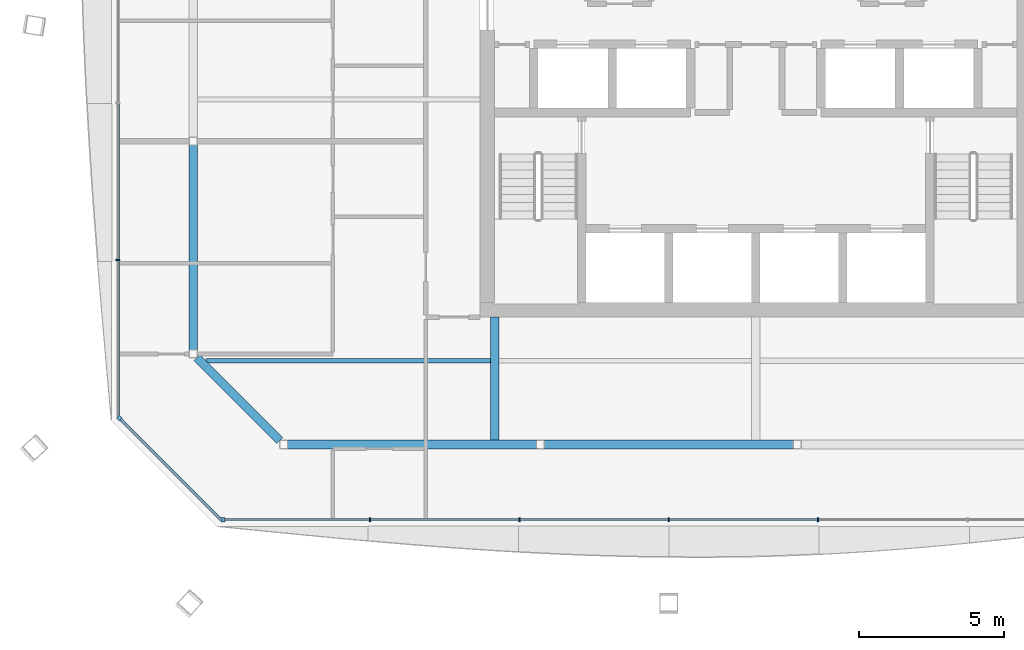
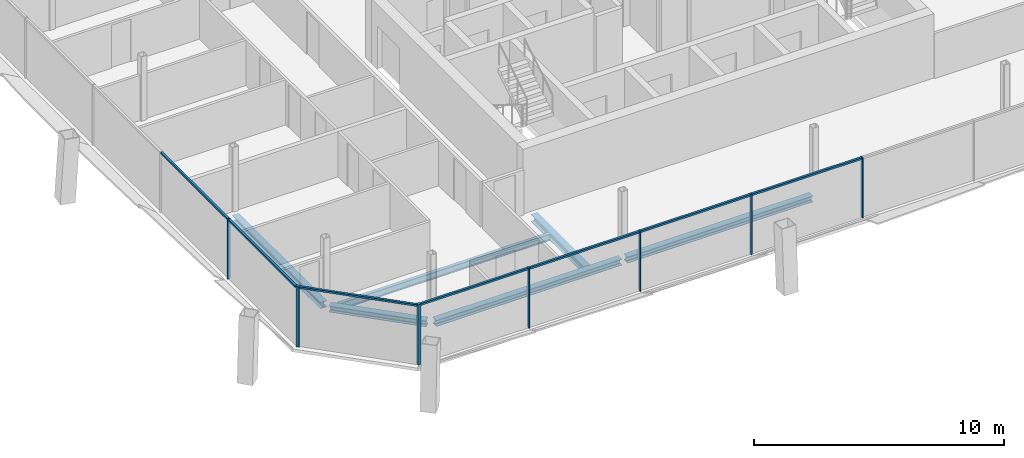
# One storey, part 4 of 18: 14 members, 6 beams, 3 elements without a shape of their own.
"""IFC4 building model written with IfcOpenShell, lengths in metres."""

from ifc_helpers import new_model, si_unit, direction, frame, origin, origin_2d, place, context, subcontext, project, spatial, rectangle, i_section, extrude, material, material_profile, profile_set, type_object, element, aggregate, save


model = new_model("IFC4")

# Units and contexts
model_context = context("Model", 3, precision=1e-05, world=origin(), true_north=direction((0.0, 1.0)))
body_context = subcontext(model_context, "Body", "Model", "MODEL_VIEW")
ifc_project = project(units=[si_unit("LENGTHUNIT", "METRE"), si_unit("AREAUNIT", "SQUARE_METRE"), si_unit("VOLUMEUNIT", "CUBIC_METRE"), si_unit("PLANEANGLEUNIT", "RADIAN"), si_unit("MASSUNIT", "GRAM", prefix="KILO")], contexts=[model_context])

# Site, building, storey
site_placement = place(None, origin())
site = spatial("IfcSite", under=ifc_project, at=site_placement, CompositionType="ELEMENT")
building_placement = place(site_placement, origin())
building = spatial("IfcBuilding", under=site, at=building_placement, Name="Tskaro Facet Tower", CompositionType="ELEMENT")
storey_placement = place(building_placement, frame((0.0, 0.0, 220.35009765625)))
storey = spatial("IfcBuildingStorey", under=building, at=storey_placement, Name="L56", CompositionType="ELEMENT", Elevation=220.35009765625)

# Curtain wall, member
ifc_material_1 = material(Name="Bronze anodised aluminium 6063-T6", Category="aluminium")
curtain_wall_type = type_object("IfcCurtainWallType", Name="Bronze residence curtain wall (FW3)", PredefinedType="NOTDEFINED", material=ifc_material_1)
curtain_wall_1_placement = place(storey_placement, origin())
curtain_wall_1 = element("IfcCurtainWall", 1, at=curtain_wall_1_placement, inside=storey, type_object=curtain_wall_type, Name="FW3 south facet L56", PredefinedType="NOTDEFINED")
ifc_material_profile_1 = material_profile(ifc_material_1, rectangle(XDim=0.139892578125, YDim=0.139892578125, at=origin_2d()), Name="Corner post 140x140")
ifc_profile_set_1 = profile_set([ifc_material_profile_1], Name="Bronze anodised aluminium 6063-T6")
member_type_1 = type_object("IfcMemberType", Name="FW3 bronze corner post 140x140", PredefinedType="MULLION", material=ifc_profile_set_1)
member_1_placement = place(storey_placement, frame((-18.364990234375, -18.985107421875, 0.0), z_axis=(0.0, 0.0, 1.0), x_axis=(1.0, 0.0, 0.0)))
member_1 = element("IfcMember", 2, at=member_1_placement, type_object=member_type_1, Name="FW3 south corner post", PredefinedType="MULLION", context=body_context, shape_type="SweptSolid", body=[
    extrude(rectangle(XDim=0.139892578125, YDim=0.139892578125, at=origin_2d()), origin(), (0.0, 0.0, 1.0), 2.949951171875),
])

curtain_wall_2_placement = place(storey_placement, origin())
curtain_wall_2 = element("IfcCurtainWall", 3, at=curtain_wall_2_placement, inside=storey, type_object=curtain_wall_type, Name="FW3 south-west facet L56", PredefinedType="NOTDEFINED")
member_2_placement = place(storey_placement, frame((-21.935546875, -15.484619140625, 0.0), z_axis=(0.0, 0.0, 1.0), x_axis=(0.707106781187, -0.707106781187, 0.0)))
member_2 = element("IfcMember", 4, at=member_2_placement, type_object=member_type_1, Name="FW3 south-west corner post", PredefinedType="MULLION", context=body_context, shape_type="SweptSolid", body=[
    extrude(rectangle(XDim=0.139892578125, YDim=0.139892578125, at=origin_2d()), origin(), (0.0, 0.0, 1.0), 2.949951171875),
])

# Member
ifc_material_profile_2 = material_profile(ifc_material_1, rectangle(XDim=0.050048828125, YDim=0.139892578125, at=origin_2d()), Name="Mullion 50x140")
ifc_profile_set_2 = profile_set([ifc_material_profile_2], Name="Bronze anodised aluminium 6063-T6")
member_type_2 = type_object("IfcMemberType", Name="FW3 bronze mullion 50x140", PredefinedType="MULLION", material=ifc_profile_set_2)
member_3_placement = place(storey_placement, frame((-13.2900390625, -18.985107421875, 0.0), z_axis=(0.0, 0.0, 1.0), x_axis=(1.0, 0.0, 0.0)))
member_3 = element("IfcMember", 5, at=member_3_placement, type_object=member_type_2, Name="FW3 south mullion 1", PredefinedType="MULLION", context=body_context, shape_type="SweptSolid", body=[
    extrude(rectangle(XDim=0.050048828125, YDim=0.139892578125, at=origin_2d()), origin(), (0.0, 0.0, 1.0), 2.949951171875),
])

member_4_placement = place(storey_placement, frame((-8.14501953125, -18.985107421875, 0.0), z_axis=(0.0, 0.0, 1.0), x_axis=(1.0, 0.0, 0.0)))
member_4 = element("IfcMember", 6, at=member_4_placement, type_object=member_type_2, Name="FW3 south mullion 2", PredefinedType="MULLION", context=body_context, shape_type="SweptSolid", body=[
    extrude(rectangle(XDim=0.050048828125, YDim=0.139892578125, at=origin_2d()), origin(), (0.0, 0.0, 1.0), 2.949951171875),
])

member_5_placement = place(storey_placement, frame((-3.0, -18.985107421875, 0.0), z_axis=(0.0, 0.0, 1.0), x_axis=(1.0, 0.0, 0.0)))
member_5 = element("IfcMember", 7, at=member_5_placement, type_object=member_type_2, Name="FW3 south mullion 3", PredefinedType="MULLION", context=body_context, shape_type="SweptSolid", body=[
    extrude(rectangle(XDim=0.050048828125, YDim=0.139892578125, at=origin_2d()), origin(), (0.0, 0.0, 1.0), 2.949951171875),
])

member_6_placement = place(storey_placement, frame((2.14501953125, -18.985107421875, 0.0), z_axis=(0.0, 0.0, 1.0), x_axis=(1.0, 0.0, 0.0)))
member_6 = element("IfcMember", 8, at=member_6_placement, type_object=member_type_2, Name="FW3 south mullion 4", PredefinedType="MULLION", context=body_context, shape_type="SweptSolid", body=[
    extrude(rectangle(XDim=0.050048828125, YDim=0.139892578125, at=origin_2d()), origin(), (0.0, 0.0, 1.0), 2.949951171875),
])

# Curtain wall, member
curtain_wall_3_placement = place(storey_placement, origin())
curtain_wall_3 = element("IfcCurtainWall", 9, at=curtain_wall_3_placement, inside=storey, type_object=curtain_wall_type, Name="FW3 west facet L56", PredefinedType="NOTDEFINED")
member_7_placement = place(storey_placement, frame((-21.985107421875, -10.026123046875, 0.0), z_axis=(0.0, 0.0, 1.0), x_axis=(0.0, -1.0, 0.0)))
member_7 = element("IfcMember", 10, at=member_7_placement, type_object=member_type_2, Name="FW3 west mullion 4", PredefinedType="MULLION", context=body_context, shape_type="SweptSolid", body=[
    extrude(rectangle(XDim=0.050048828125, YDim=0.139892578125, at=origin_2d()), origin(), (0.0, 0.0, 1.0), 2.949951171875),
])

# Member
ifc_material_profile_3 = material_profile(ifc_material_1, rectangle(XDim=0.10009765625, YDim=0.090087890625, at=origin_2d()), Name="Transom 100x90")
ifc_profile_set_3 = profile_set([ifc_material_profile_3], Name="Bronze anodised aluminium 6063-T6")
member_type_3 = type_object("IfcMemberType", Name="FW3 bronze transom 100x90", PredefinedType="USERDEFINED", material=ifc_profile_set_3)
member_8_placement = place(storey_placement, frame((-18.294921875, -18.985107421875, 2.90478515625), z_axis=(1.0, 0.0, 0.0), x_axis=(0.0, 1.0, 0.0)))
member_8 = element("IfcMember", 11, at=member_8_placement, type_object=member_type_3, Name="FW3 south transom 1.1", ObjectType="TRANSOM", PredefinedType="USERDEFINED", context=body_context, shape_type="SweptSolid", body=[
    extrude(rectangle(XDim=0.10009765625, YDim=0.090087890625, at=origin_2d()), origin(), (0.0, 0.0, 1.0), 4.97998046875),
])

member_9_placement = place(storey_placement, frame((-13.264892578125, -18.985107421875, 2.90478515625), z_axis=(1.0, 0.0, 0.0), x_axis=(0.0, 1.0, 0.0)))
member_9 = element("IfcMember", 12, at=member_9_placement, type_object=member_type_3, Name="FW3 south transom 2.1", ObjectType="TRANSOM", PredefinedType="USERDEFINED", context=body_context, shape_type="SweptSolid", body=[
    extrude(rectangle(XDim=0.10009765625, YDim=0.090087890625, at=origin_2d()), origin(), (0.0, 0.0, 1.0), 5.094970703125),
])

member_10_placement = place(storey_placement, frame((-8.1201171875, -18.985107421875, 2.90478515625), z_axis=(1.0, 0.0, 0.0), x_axis=(0.0, 1.0, 0.0)))
member_10 = element("IfcMember", 13, at=member_10_placement, type_object=member_type_3, Name="FW3 south transom 3.1", ObjectType="TRANSOM", PredefinedType="USERDEFINED", context=body_context, shape_type="SweptSolid", body=[
    extrude(rectangle(XDim=0.10009765625, YDim=0.090087890625, at=origin_2d()), origin(), (0.0, 0.0, 1.0), 5.09521484375),
])

member_11_placement = place(storey_placement, frame((-2.97509765625, -18.985107421875, 2.90478515625), z_axis=(1.0, 0.0, 0.0), x_axis=(0.0, 1.0, 0.0)))
member_11 = element("IfcMember", 14, at=member_11_placement, type_object=member_type_3, Name="FW3 south transom 4.1", ObjectType="TRANSOM", PredefinedType="USERDEFINED", context=body_context, shape_type="SweptSolid", body=[
    extrude(rectangle(XDim=0.10009765625, YDim=0.090087890625, at=origin_2d()), origin(), (0.0, 0.0, 1.0), 5.09521484375),
])

aggregate(curtain_wall_1, [member_1, member_3, member_4, member_5, member_6, member_8, member_9, member_10, member_11])

member_12_placement = place(storey_placement, frame((-21.985107421875, -4.642333984375, 2.90478515625), z_axis=(0.0, -1.0, 0.0), x_axis=(1.0, 0.0, 0.0)))
member_12 = element("IfcMember", 15, at=member_12_placement, type_object=member_type_3, Name="FW3 west transom 4.1", ObjectType="TRANSOM", PredefinedType="USERDEFINED", context=body_context, shape_type="SweptSolid", body=[
    extrude(rectangle(XDim=0.10009765625, YDim=0.090087890625, at=origin_2d()), origin(), (0.0, 0.0, 1.0), 5.35888671875),
])

member_13_placement = place(storey_placement, frame((-21.985107421875, -10.05126953125, 2.90478515625), z_axis=(0.0, -1.0, 0.0), x_axis=(1.0, 0.0, 0.0)))
member_13 = element("IfcMember", 16, at=member_13_placement, type_object=member_type_3, Name="FW3 west transom 5.1", ObjectType="TRANSOM", PredefinedType="USERDEFINED", context=body_context, shape_type="SweptSolid", body=[
    extrude(rectangle(XDim=0.10009765625, YDim=0.090087890625, at=origin_2d()), origin(), (0.0, 0.0, 1.0), 5.3837890625),
])

aggregate(curtain_wall_3, [member_7, member_12, member_13])

member_14_placement = place(storey_placement, frame((-21.885986328125, -15.533935546875, 2.90478515625), z_axis=(0.707081769008, -0.70713179248, 0.0), x_axis=(0.70713179248, 0.707081769008, 0.0)))
member_14 = element("IfcMember", 17, at=member_14_placement, type_object=member_type_3, Name="FW3 south-west transom 1.1", ObjectType="TRANSOM", PredefinedType="USERDEFINED", context=body_context, shape_type="SweptSolid", body=[
    extrude(rectangle(XDim=0.10009765625, YDim=0.090087890625, at=origin_2d()), origin(), (0.0, 0.0, 1.0), 4.880615234375),
])

aggregate(curtain_wall_2, [member_2, member_14])

# Beams
ifc_material_2 = material(Name="Steel S355J2", Category="steel")
ifc_material_profile_4 = material_profile(ifc_material_2, i_section(OverallWidth=0.300048828125, OverallDepth=0.300048828125, WebThickness=0.010986328125, FlangeThickness=0.01904296875, FilletRadius=0.027099609375, at=origin_2d()), Name="HE 300 B")
ifc_profile_set_4 = profile_set([ifc_material_profile_4], Name="Steel S355J2")
beam_type_1 = type_object("IfcBeamType", Name="HE 300 B ring beam", PredefinedType="BEAM", material=ifc_profile_set_4)
beam_1_placement = place(storey_placement, frame((-16.137939453125, -16.39111328125, -0.2900390625), z_axis=(1.0, 0.0, 0.0), x_axis=(0.0, 1.0, 0.0)))
element("IfcBeam", 18, at=beam_1_placement, inside=storey, type_object=beam_type_1, Name="HE 300 B EB1-5", PredefinedType="BEAM", context=body_context, shape_type="SweptSolid", body=[
    extrude(i_section(OverallWidth=0.300048828125, OverallDepth=0.300048828125, WebThickness=0.010986328125, FlangeThickness=0.01904296875, FilletRadius=0.027099609375, at=origin_2d()), origin(), (0.0, 0.0, 1.0), 8.5849609375),
])
beam_2_placement = place(storey_placement, frame((-7.29296875, -16.39111328125, -0.2900390625), z_axis=(1.0, 0.0, 0.0), x_axis=(0.0, 1.0, 0.0)))
element("IfcBeam", 19, at=beam_2_placement, inside=storey, type_object=beam_type_1, Name="HE 300 B EB2-5", PredefinedType="BEAM", context=body_context, shape_type="SweptSolid", body=[
    extrude(i_section(OverallWidth=0.300048828125, OverallDepth=0.300048828125, WebThickness=0.010986328125, FlangeThickness=0.01904296875, FilletRadius=0.027099609375, at=origin_2d()), origin(), (0.0, 0.0, 1.0), 8.5859375),
])
beam_3_placement = place(storey_placement, frame((-19.39111328125, -6.06689453125, -0.2900390625), z_axis=(0.0, -1.0, 0.0), x_axis=(1.0, 0.0, 0.0)))
element("IfcBeam", 20, at=beam_3_placement, inside=storey, type_object=beam_type_1, Name="HE 300 B EB16-5", PredefinedType="BEAM", context=body_context, shape_type="SweptSolid", body=[
    extrude(i_section(OverallWidth=0.300048828125, OverallDepth=0.300048828125, WebThickness=0.010986328125, FlangeThickness=0.01904296875, FilletRadius=0.027099609375, at=origin_2d()), origin(), (0.0, 0.0, 1.0), 7.071044921875),
])
beam_4_placement = place(storey_placement, frame((-19.255126953125, -13.40380859375, -0.2900390625), z_axis=(0.707106781187, -0.707106781187, 0.0), x_axis=(0.707106781187, 0.707106781187, 0.0)))
element("IfcBeam", 21, at=beam_4_placement, inside=storey, type_object=beam_type_1, Name="HE 300 B EB17-5", PredefinedType="BEAM", context=body_context, shape_type="SweptSolid", body=[
    extrude(i_section(OverallWidth=0.300048828125, OverallDepth=0.300048828125, WebThickness=0.010986328125, FlangeThickness=0.01904296875, FilletRadius=0.027099609375, at=origin_2d()), origin(), (0.0, 0.0, 1.0), 4.032470703125),
])
ifc_material_profile_5 = material_profile(ifc_material_2, i_section(OverallWidth=0.300048828125, OverallDepth=0.35009765625, WebThickness=0.010009765625, FlangeThickness=0.017578125, FilletRadius=0.027099609375, at=origin_2d()), Name="HE 360 A")
ifc_profile_set_5 = profile_set([ifc_material_profile_5], Name="Steel S355J2")
beam_type_2 = type_object("IfcBeamType", Name="HE 360 A girder", PredefinedType="BEAM", material=ifc_profile_set_5)
beam_5_placement = place(storey_placement, frame((-9.0, -16.240966796875, -0.315185546875), z_axis=(0.0, 1.0, 0.0), x_axis=(-1.0, 0.0, 0.0)))
element("IfcBeam", 22, at=beam_5_placement, inside=storey, type_object=beam_type_2, Name="HE 360 A GB3-1-5", PredefinedType="BEAM", context=body_context, shape_type="SweptSolid", body=[
    extrude(i_section(OverallWidth=0.300048828125, OverallDepth=0.35009765625, WebThickness=0.010009765625, FlangeThickness=0.017578125, FilletRadius=0.027099609375, at=origin_2d()), origin(), (0.0, 0.0, 1.0), 4.240966796875),
])
ifc_material_profile_6 = material_profile(ifc_material_2, i_section(OverallWidth=0.159912109375, OverallDepth=0.330078125, WebThickness=0.007568359375, FlangeThickness=0.011474609375, FilletRadius=0.01806640625, at=origin_2d()), Name="IPE 330")
ifc_profile_set_6 = profile_set([ifc_material_profile_6], Name="Steel S355J2")
beam_type_3 = type_object("IfcBeamType", Name="IPE 330 secondary beam", PredefinedType="BEAM", material=ifc_profile_set_6)
beam_6_placement = place(storey_placement, frame((-18.947021484375, -13.5, -0.30517578125), z_axis=(1.0, 0.0, 0.0), x_axis=(0.0, 1.0, 0.0)))
element("IfcBeam", 23, at=beam_6_placement, inside=storey, type_object=beam_type_3, Name="IPE 330 SB2a-1-5", PredefinedType="BEAM", context=body_context, shape_type="SweptSolid", body=[
    extrude(i_section(OverallWidth=0.159912109375, OverallDepth=0.330078125, WebThickness=0.007568359375, FlangeThickness=0.011474609375, FilletRadius=0.01806640625, at=origin_2d()), origin(), (0.0, 0.0, 1.0), 9.797119140625),
])

save(model, "model.ifc")
